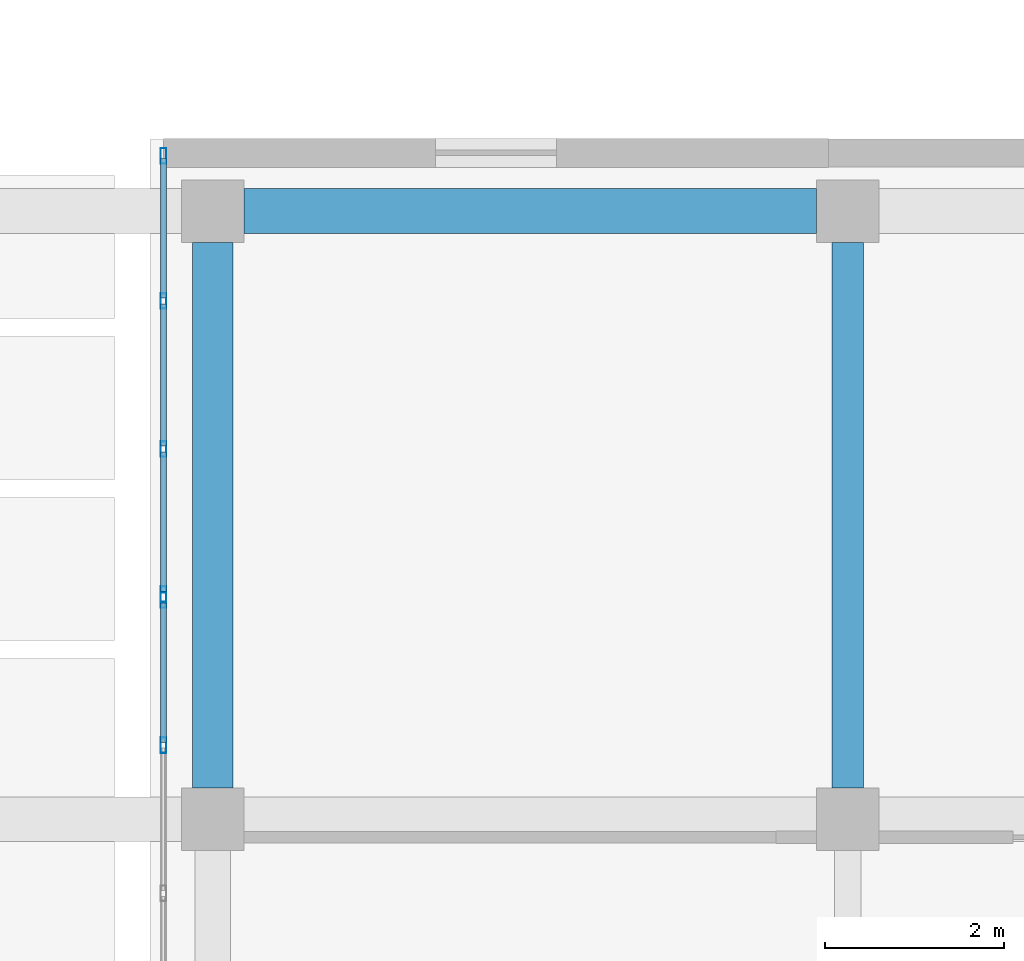
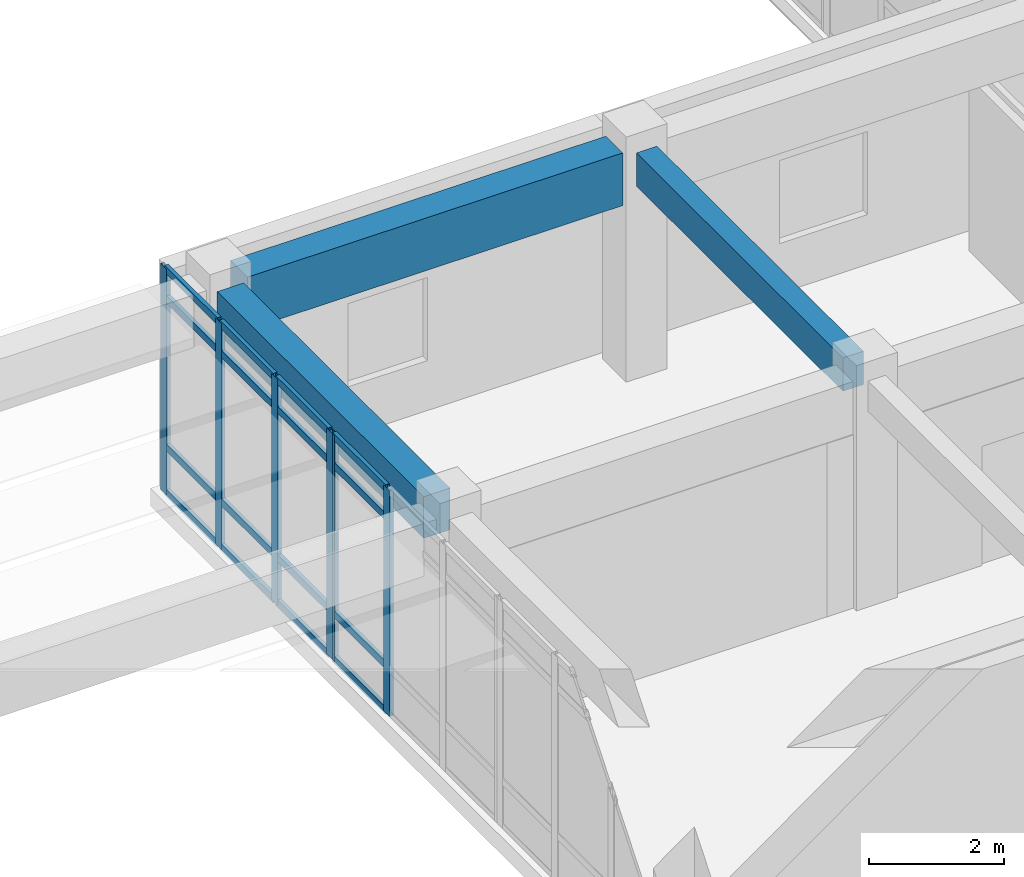
# One storey, part 18 of 142: 22 members, 3 beams, 2 elements without a shape of their own.
"""IFC4 building model written with IfcOpenShell, lengths in metres."""

from ifc_helpers import new_model, si_unit, direction, frame, origin, origin_2d, place, context, subcontext, project, spatial, rectangle, hollow_rectangle, extrude, material, layer, layer_set, material_profile, profile_set, type_object, element, aggregate, save


model = new_model("IFC4")

# Units and contexts
model_context = context("Model", 3, precision=1e-05, world=origin(), true_north=direction((0.0, 1.0)))
body_context = subcontext(model_context, "Body", "Model", "MODEL_VIEW")
ifc_project = project(units=[si_unit("LENGTHUNIT", "METRE"), si_unit("AREAUNIT", "SQUARE_METRE"), si_unit("VOLUMEUNIT", "CUBIC_METRE"), si_unit("PLANEANGLEUNIT", "RADIAN"), si_unit("MASSUNIT", "GRAM", prefix="KILO")], contexts=[model_context])

# Site, building, storey
site_placement = place(None, origin())
site = spatial("IfcSite", under=ifc_project, at=site_placement, CompositionType="ELEMENT")
building_placement = place(site_placement, origin())
building = spatial("IfcBuilding", under=site, at=building_placement, Name="Valcora Specialist Clinic", CompositionType="ELEMENT")
storey_placement = place(building_placement, frame((0.0, 0.0, 5.10009765625)))
storey = spatial("IfcBuildingStorey", under=building, at=storey_placement, Name="L01", CompositionType="ELEMENT", Elevation=5.10009765625)

# Beams
ifc_material_1 = material(Name="Concrete C40/50", Category="concrete")
ifc_material_profile_1 = material_profile(ifc_material_1, rectangle(XDim=0.35009765625, YDim=0.60009765625, at=origin_2d()), Name="RC-BM-350X600")
ifc_profile_set_1 = profile_set([ifc_material_profile_1], Name="Concrete C40/50")
beam_type_1 = type_object("IfcBeamType", Name="TY-BM-RC350X600", PredefinedType="BEAM", material=ifc_profile_set_1)
beam_1_placement = place(storey_placement, frame((16.199951171875, 15.550048828125, 3.77490234375), z_axis=(0.0, 1.0, 0.0), x_axis=(-1.0, 0.0, 0.0)))
element("IfcBeam", 1, at=beam_1_placement, inside=storey, type_object=beam_type_1, Name="Beam BM-L01-0966", PredefinedType="BEAM", context=body_context, shape_type="SweptSolid", body=[
    extrude(rectangle(XDim=0.35009765625, YDim=0.60009765625, at=origin_2d()), origin(), (0.0, 0.0, 1.0), 6.099853515625),
])
ifc_material_profile_2 = material_profile(ifc_material_1, rectangle(XDim=0.449951171875, YDim=0.75, at=origin_2d()), Name="RC-BM-450X750")
ifc_profile_set_2 = profile_set([ifc_material_profile_2], Name="Concrete C40/50")
beam_type_2 = type_object("IfcBeamType", Name="TY-BM-RC450X750", PredefinedType="BEAM", material=ifc_profile_set_2)
beam_2_placement = place(storey_placement, frame((9.10009765625, 15.550048828125, 3.699951171875), z_axis=(0.0, 1.0, 0.0), x_axis=(-1.0, 0.0, 0.0)))
element("IfcBeam", 2, at=beam_2_placement, inside=storey, type_object=beam_type_2, Name="Beam BM-L01-0963", PredefinedType="BEAM", context=body_context, shape_type="SweptSolid", body=[
    extrude(rectangle(XDim=0.449951171875, YDim=0.75, at=origin_2d()), origin(), (0.0, 0.0, 1.0), 6.099853515625),
])
ifc_material_profile_3 = material_profile(ifc_material_1, rectangle(XDim=0.5, YDim=0.949951171875, at=origin_2d()), Name="RC-BM-500X950")
ifc_profile_set_3 = profile_set([ifc_material_profile_3], Name="Concrete C40/50")
beam_type_3 = type_object("IfcBeamType", Name="TY-BM-TR500X950", PredefinedType="BEAM", material=ifc_profile_set_3)
beam_3_placement = place(storey_placement, frame((9.449951171875, 22.0, 3.599853515625), z_axis=(1.0, 0.0, 0.0), x_axis=(0.0, 1.0, 0.0)))
element("IfcBeam", 3, at=beam_3_placement, inside=storey, type_object=beam_type_3, Name="Beam BM-L01-0954", PredefinedType="BEAM", context=body_context, shape_type="SweptSolid", body=[
    extrude(rectangle(XDim=0.5, YDim=0.949951171875, at=origin_2d()), origin(), (0.0, 0.0, 1.0), 6.400146484375),
])

# Curtain wall, members
ifc_material_2 = material(Name="Anodized Bronze Aluminium 6063-T6", Category="aluminium")
ifc_layer = layer(ifc_material_2, 0.175048828125)
ifc_layer_set = layer_set([ifc_layer], Name="Anodized Bronze Aluminium 6063-T6")
curtain_wall_type = type_object("IfcCurtainWallType", Name="TY-CW-V5F15", PredefinedType="NOTDEFINED", material=ifc_layer_set)
curtain_wall_1_placement = place(storey_placement, origin())
curtain_wall_1 = element("IfcCurtainWall", 4, at=curtain_wall_1_placement, inside=storey, type_object=curtain_wall_type, Name="Curtain wall CW-L01-138", PredefinedType="NOTDEFINED")
ifc_material_profile_4 = material_profile(ifc_material_2, hollow_rectangle(XDim=0.06494140625, YDim=0.175048828125, WallThickness=0.00390625, at=origin_2d()), Name="AL-MUL-65X175")
ifc_profile_set_4 = profile_set([ifc_material_profile_4], Name="Anodized Bronze Aluminium 6063-T6")
member_type_1 = type_object("IfcMemberType", Name="TY-CWM-65X175", PredefinedType="MULLION", material=ifc_profile_set_4)
member_1_placement = place(storey_placement, frame((8.550048828125, 16.02783203125, 0.0), z_axis=(0.0, 0.0, 1.0), x_axis=(-1.0, 0.0, 0.0)))
member_1 = element("IfcMember", 5, at=member_1_placement, type_object=member_type_1, Name="CW-V5F-15 mullion 3", PredefinedType="MULLION", context=body_context, shape_type="SweptSolid", body=[
    extrude(hollow_rectangle(XDim=0.06494140625, YDim=0.175048828125, WallThickness=0.00390625, at=origin_2d()), origin(), (0.0, 0.0, 1.0), 4.074951171875),
])
member_2_placement = place(storey_placement, frame((8.550048828125, 17.65087890625, 0.0), z_axis=(0.0, 0.0, 1.0), x_axis=(-1.0, 0.0, 0.0)))
member_2 = element("IfcMember", 6, at=member_2_placement, type_object=member_type_1, Name="CW-V5F-15 mullion 4", PredefinedType="MULLION", context=body_context, shape_type="SweptSolid", body=[
    extrude(hollow_rectangle(XDim=0.06494140625, YDim=0.175048828125, WallThickness=0.00390625, at=origin_2d()), origin(), (0.0, 0.0, 1.0), 4.074951171875),
])

curtain_wall_2_placement = place(storey_placement, origin())
curtain_wall_2 = element("IfcCurtainWall", 7, at=curtain_wall_2_placement, inside=storey, type_object=curtain_wall_type, Name="Curtain wall CW-L01-139", PredefinedType="NOTDEFINED")
member_3_placement = place(storey_placement, frame((8.550048828125, 17.7158203125, 0.0), z_axis=(0.0, 0.0, 1.0), x_axis=(-1.0, 0.0, 0.0)))
member_3 = element("IfcMember", 8, at=member_3_placement, type_object=member_type_1, Name="CW-V5F-15 mullion 1", PredefinedType="MULLION", context=body_context, shape_type="SweptSolid", body=[
    extrude(hollow_rectangle(XDim=0.06494140625, YDim=0.175048828125, WallThickness=0.00390625, at=origin_2d()), origin(), (0.0, 0.0, 1.0), 4.074951171875),
])
member_4_placement = place(storey_placement, frame((8.550048828125, 19.3388671875, 0.0), z_axis=(0.0, 0.0, 1.0), x_axis=(-1.0, 0.0, 0.0)))
member_4 = element("IfcMember", 9, at=member_4_placement, type_object=member_type_1, Name="CW-V5F-15 mullion 2", PredefinedType="MULLION", context=body_context, shape_type="SweptSolid", body=[
    extrude(hollow_rectangle(XDim=0.06494140625, YDim=0.175048828125, WallThickness=0.00390625, at=origin_2d()), origin(), (0.0, 0.0, 1.0), 4.074951171875),
])
member_5_placement = place(storey_placement, frame((8.550048828125, 20.994384765625, 0.0), z_axis=(0.0, 0.0, 1.0), x_axis=(-1.0, 0.0, 0.0)))
member_5 = element("IfcMember", 10, at=member_5_placement, type_object=member_type_1, Name="CW-V5F-15 mullion 3", PredefinedType="MULLION", context=body_context, shape_type="SweptSolid", body=[
    extrude(hollow_rectangle(XDim=0.06494140625, YDim=0.175048828125, WallThickness=0.00390625, at=origin_2d()), origin(), (0.0, 0.0, 1.0), 4.074951171875),
])
member_6_placement = place(storey_placement, frame((8.550048828125, 22.617431640625, 0.0), z_axis=(0.0, 0.0, 1.0), x_axis=(-1.0, 0.0, 0.0)))
member_6 = element("IfcMember", 11, at=member_6_placement, type_object=member_type_1, Name="CW-V5F-15 mullion 4", PredefinedType="MULLION", context=body_context, shape_type="SweptSolid", body=[
    extrude(hollow_rectangle(XDim=0.06494140625, YDim=0.175048828125, WallThickness=0.00390625, at=origin_2d()), origin(), (0.0, 0.0, 1.0), 4.074951171875),
])

# Member
ifc_material_profile_5 = material_profile(ifc_material_2, hollow_rectangle(XDim=0.06494140625, YDim=0.1298828125, WallThickness=0.00390625, at=origin_2d()), Name="AL-TRN-65X130")
ifc_profile_set_5 = profile_set([ifc_material_profile_5], Name="Anodized Bronze Aluminium 6063-T6")
member_type_2 = type_object("IfcMemberType", Name="TY-CWT-65X130", PredefinedType="USERDEFINED", material=ifc_profile_set_5)
member_7_placement = place(storey_placement, frame((8.550048828125, 16.060302734375, 0.032470703125), z_axis=(0.0, 1.0, 0.0), x_axis=(-1.0, 0.0, 0.0)))
member_7 = element("IfcMember", 12, at=member_7_placement, type_object=member_type_2, Name="CW-V5F-15 transom 3.1", ObjectType="TRANSOM", PredefinedType="USERDEFINED", context=body_context, shape_type="SweptSolid", body=[
    extrude(hollow_rectangle(XDim=0.06494140625, YDim=0.1298828125, WallThickness=0.00390625, at=origin_2d()), origin(), (0.0, 0.0, 1.0), 1.55810546875),
])

member_8_placement = place(storey_placement, frame((8.550048828125, 16.060302734375, 0.849853515625), z_axis=(0.0, 1.0, 0.0), x_axis=(-1.0, 0.0, 0.0)))
member_8 = element("IfcMember", 13, at=member_8_placement, type_object=member_type_2, Name="CW-V5F-15 transom 3.2", ObjectType="TRANSOM", PredefinedType="USERDEFINED", context=body_context, shape_type="SweptSolid", body=[
    extrude(hollow_rectangle(XDim=0.06494140625, YDim=0.1298828125, WallThickness=0.00390625, at=origin_2d()), origin(), (0.0, 0.0, 1.0), 1.55810546875),
])

member_9_placement = place(storey_placement, frame((8.550048828125, 16.060302734375, 3.52490234375), z_axis=(0.0, 1.0, 0.0), x_axis=(-1.0, 0.0, 0.0)))
member_9 = element("IfcMember", 14, at=member_9_placement, type_object=member_type_2, Name="CW-V5F-15 transom 3.3", ObjectType="TRANSOM", PredefinedType="USERDEFINED", context=body_context, shape_type="SweptSolid", body=[
    extrude(hollow_rectangle(XDim=0.06494140625, YDim=0.1298828125, WallThickness=0.00390625, at=origin_2d()), origin(), (0.0, 0.0, 1.0), 1.55810546875),
])

member_10_placement = place(storey_placement, frame((8.550048828125, 16.060302734375, 4.04248046875), z_axis=(0.0, 1.0, 0.0), x_axis=(-1.0, 0.0, 0.0)))
member_10 = element("IfcMember", 15, at=member_10_placement, type_object=member_type_2, Name="CW-V5F-15 transom 3.4", ObjectType="TRANSOM", PredefinedType="USERDEFINED", context=body_context, shape_type="SweptSolid", body=[
    extrude(hollow_rectangle(XDim=0.06494140625, YDim=0.1298828125, WallThickness=0.00390625, at=origin_2d()), origin(), (0.0, 0.0, 1.0), 1.55810546875),
])

aggregate(curtain_wall_1, [member_1, member_2, member_7, member_8, member_9, member_10])

member_11_placement = place(storey_placement, frame((8.550048828125, 17.748291015625, 0.032470703125), z_axis=(0.0, 1.0, 0.0), x_axis=(-1.0, 0.0, 0.0)))
member_11 = element("IfcMember", 16, at=member_11_placement, type_object=member_type_2, Name="CW-V5F-15 transom 1.1", ObjectType="TRANSOM", PredefinedType="USERDEFINED", context=body_context, shape_type="SweptSolid", body=[
    extrude(hollow_rectangle(XDim=0.06494140625, YDim=0.1298828125, WallThickness=0.00390625, at=origin_2d()), origin(), (0.0, 0.0, 1.0), 1.55810546875),
])

member_12_placement = place(storey_placement, frame((8.550048828125, 17.748291015625, 0.849853515625), z_axis=(0.0, 1.0, 0.0), x_axis=(-1.0, 0.0, 0.0)))
member_12 = element("IfcMember", 17, at=member_12_placement, type_object=member_type_2, Name="CW-V5F-15 transom 1.2", ObjectType="TRANSOM", PredefinedType="USERDEFINED", context=body_context, shape_type="SweptSolid", body=[
    extrude(hollow_rectangle(XDim=0.06494140625, YDim=0.1298828125, WallThickness=0.00390625, at=origin_2d()), origin(), (0.0, 0.0, 1.0), 1.55810546875),
])

member_13_placement = place(storey_placement, frame((8.550048828125, 17.748291015625, 3.52490234375), z_axis=(0.0, 1.0, 0.0), x_axis=(-1.0, 0.0, 0.0)))
member_13 = element("IfcMember", 18, at=member_13_placement, type_object=member_type_2, Name="CW-V5F-15 transom 1.3", ObjectType="TRANSOM", PredefinedType="USERDEFINED", context=body_context, shape_type="SweptSolid", body=[
    extrude(hollow_rectangle(XDim=0.06494140625, YDim=0.1298828125, WallThickness=0.00390625, at=origin_2d()), origin(), (0.0, 0.0, 1.0), 1.55810546875),
])

member_14_placement = place(storey_placement, frame((8.550048828125, 17.748291015625, 4.04248046875), z_axis=(0.0, 1.0, 0.0), x_axis=(-1.0, 0.0, 0.0)))
member_14 = element("IfcMember", 19, at=member_14_placement, type_object=member_type_2, Name="CW-V5F-15 transom 1.4", ObjectType="TRANSOM", PredefinedType="USERDEFINED", context=body_context, shape_type="SweptSolid", body=[
    extrude(hollow_rectangle(XDim=0.06494140625, YDim=0.1298828125, WallThickness=0.00390625, at=origin_2d()), origin(), (0.0, 0.0, 1.0), 1.55810546875),
])

member_15_placement = place(storey_placement, frame((8.550048828125, 19.371337890625, 0.032470703125), z_axis=(0.0, 1.0, 0.0), x_axis=(-1.0, 0.0, 0.0)))
member_15 = element("IfcMember", 20, at=member_15_placement, type_object=member_type_2, Name="CW-V5F-15 transom 2.1", ObjectType="TRANSOM", PredefinedType="USERDEFINED", context=body_context, shape_type="SweptSolid", body=[
    extrude(hollow_rectangle(XDim=0.06494140625, YDim=0.1298828125, WallThickness=0.00390625, at=origin_2d()), origin(), (0.0, 0.0, 1.0), 1.590576171875),
])

member_16_placement = place(storey_placement, frame((8.550048828125, 19.371337890625, 0.849853515625), z_axis=(0.0, 1.0, 0.0), x_axis=(-1.0, 0.0, 0.0)))
member_16 = element("IfcMember", 21, at=member_16_placement, type_object=member_type_2, Name="CW-V5F-15 transom 2.2", ObjectType="TRANSOM", PredefinedType="USERDEFINED", context=body_context, shape_type="SweptSolid", body=[
    extrude(hollow_rectangle(XDim=0.06494140625, YDim=0.1298828125, WallThickness=0.00390625, at=origin_2d()), origin(), (0.0, 0.0, 1.0), 1.590576171875),
])

member_17_placement = place(storey_placement, frame((8.550048828125, 19.371337890625, 3.52490234375), z_axis=(0.0, 1.0, 0.0), x_axis=(-1.0, 0.0, 0.0)))
member_17 = element("IfcMember", 22, at=member_17_placement, type_object=member_type_2, Name="CW-V5F-15 transom 2.3", ObjectType="TRANSOM", PredefinedType="USERDEFINED", context=body_context, shape_type="SweptSolid", body=[
    extrude(hollow_rectangle(XDim=0.06494140625, YDim=0.1298828125, WallThickness=0.00390625, at=origin_2d()), origin(), (0.0, 0.0, 1.0), 1.590576171875),
])

member_18_placement = place(storey_placement, frame((8.550048828125, 19.371337890625, 4.04248046875), z_axis=(0.0, 1.0, 0.0), x_axis=(-1.0, 0.0, 0.0)))
member_18 = element("IfcMember", 23, at=member_18_placement, type_object=member_type_2, Name="CW-V5F-15 transom 2.4", ObjectType="TRANSOM", PredefinedType="USERDEFINED", context=body_context, shape_type="SweptSolid", body=[
    extrude(hollow_rectangle(XDim=0.06494140625, YDim=0.1298828125, WallThickness=0.00390625, at=origin_2d()), origin(), (0.0, 0.0, 1.0), 1.590576171875),
])

member_19_placement = place(storey_placement, frame((8.550048828125, 21.02685546875, 0.032470703125), z_axis=(0.0, 1.0, 0.0), x_axis=(-1.0, 0.0, 0.0)))
member_19 = element("IfcMember", 24, at=member_19_placement, type_object=member_type_2, Name="CW-V5F-15 transom 3.1", ObjectType="TRANSOM", PredefinedType="USERDEFINED", context=body_context, shape_type="SweptSolid", body=[
    extrude(hollow_rectangle(XDim=0.06494140625, YDim=0.1298828125, WallThickness=0.00390625, at=origin_2d()), origin(), (0.0, 0.0, 1.0), 1.55810546875),
])

member_20_placement = place(storey_placement, frame((8.550048828125, 21.02685546875, 0.849853515625), z_axis=(0.0, 1.0, 0.0), x_axis=(-1.0, 0.0, 0.0)))
member_20 = element("IfcMember", 25, at=member_20_placement, type_object=member_type_2, Name="CW-V5F-15 transom 3.2", ObjectType="TRANSOM", PredefinedType="USERDEFINED", context=body_context, shape_type="SweptSolid", body=[
    extrude(hollow_rectangle(XDim=0.06494140625, YDim=0.1298828125, WallThickness=0.00390625, at=origin_2d()), origin(), (0.0, 0.0, 1.0), 1.55810546875),
])

member_21_placement = place(storey_placement, frame((8.550048828125, 21.02685546875, 3.52490234375), z_axis=(0.0, 1.0, 0.0), x_axis=(-1.0, 0.0, 0.0)))
member_21 = element("IfcMember", 26, at=member_21_placement, type_object=member_type_2, Name="CW-V5F-15 transom 3.3", ObjectType="TRANSOM", PredefinedType="USERDEFINED", context=body_context, shape_type="SweptSolid", body=[
    extrude(hollow_rectangle(XDim=0.06494140625, YDim=0.1298828125, WallThickness=0.00390625, at=origin_2d()), origin(), (0.0, 0.0, 1.0), 1.55810546875),
])

member_22_placement = place(storey_placement, frame((8.550048828125, 21.02685546875, 4.04248046875), z_axis=(0.0, 1.0, 0.0), x_axis=(-1.0, 0.0, 0.0)))
member_22 = element("IfcMember", 27, at=member_22_placement, type_object=member_type_2, Name="CW-V5F-15 transom 3.4", ObjectType="TRANSOM", PredefinedType="USERDEFINED", context=body_context, shape_type="SweptSolid", body=[
    extrude(hollow_rectangle(XDim=0.06494140625, YDim=0.1298828125, WallThickness=0.00390625, at=origin_2d()), origin(), (0.0, 0.0, 1.0), 1.55810546875),
])

aggregate(curtain_wall_2, [member_3, member_4, member_5, member_6, member_11, member_12, member_13, member_14, member_15, member_16, member_17, member_18, member_19, member_20, member_21, member_22])

save(model, "model.ifc")
